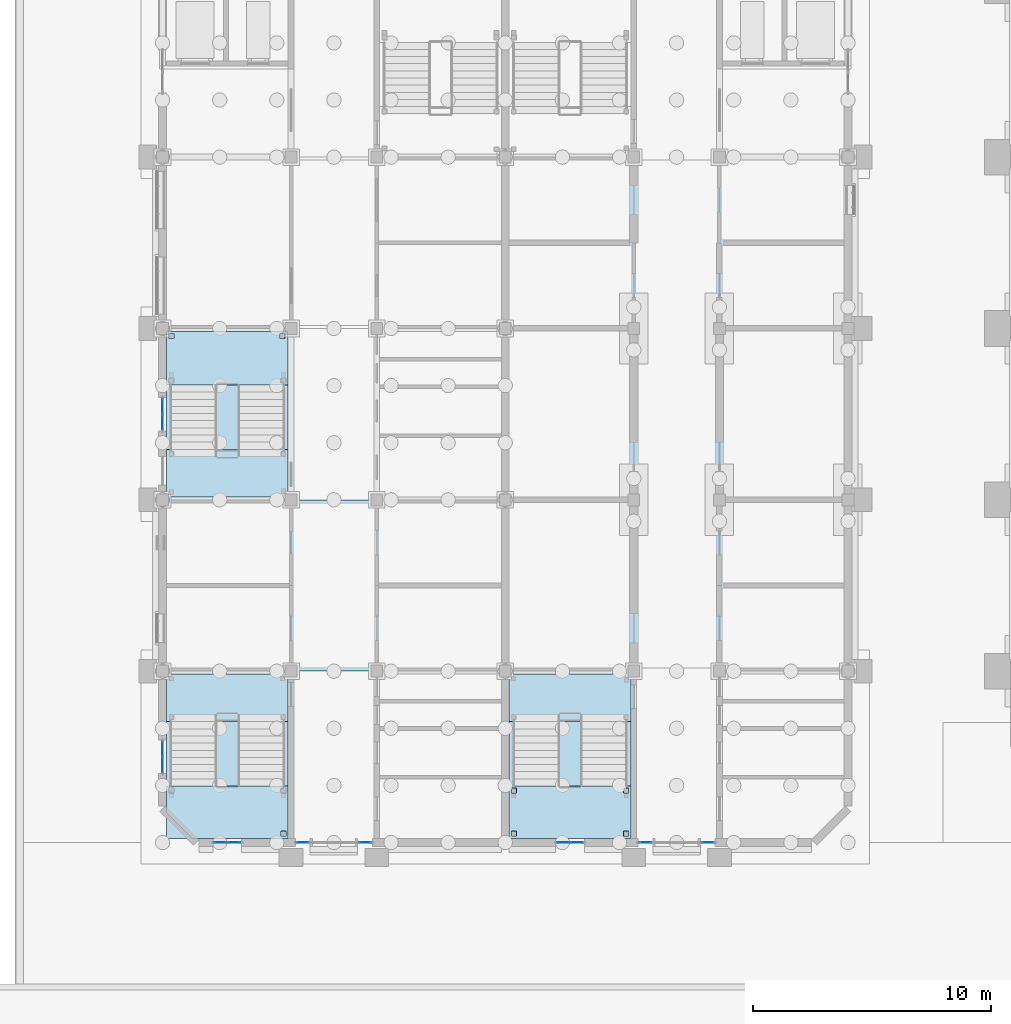
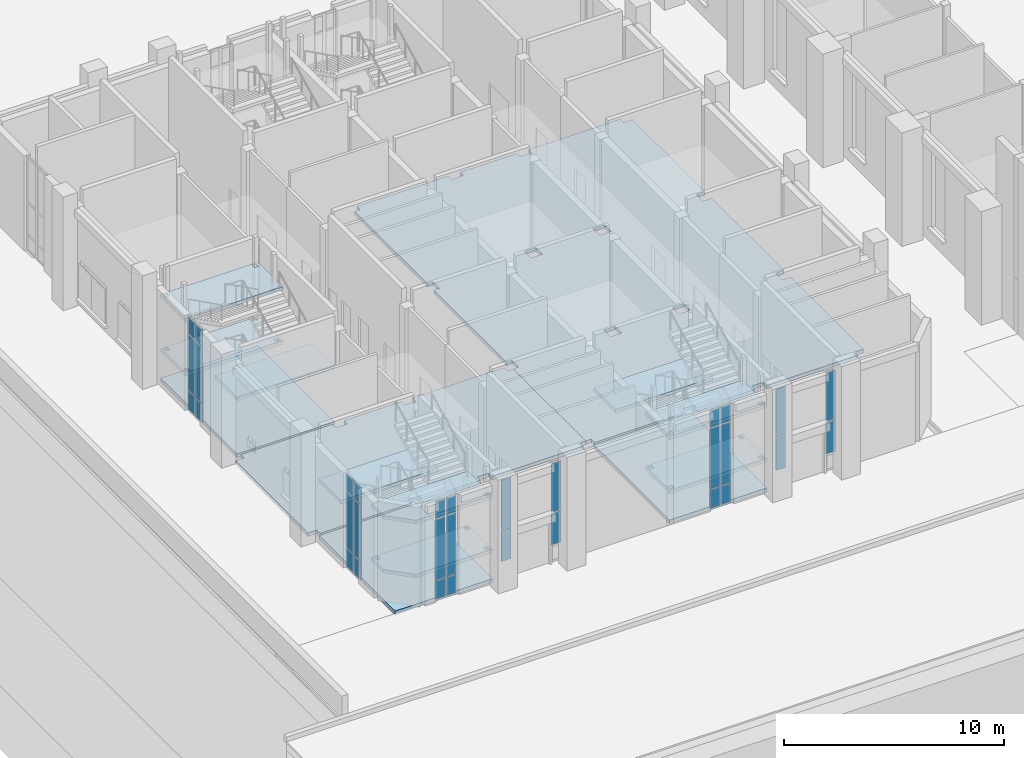
# One storey, part 21 of 84: 32 plates, 14 slabs, 11 elements without a shape of their own.
"""IFC4 building model written with IfcOpenShell, lengths in metres."""

from ifc_helpers import new_model, si_unit, direction, frame, origin, origin_2d, place, context, subcontext, project, spatial, polyline, rectangle, outline, extrude, material, layer, layer_set, type_object, element, aggregate, save


model = new_model("IFC4")

# Units and contexts
model_context = context("Model", 3, precision=1e-05, world=origin(), true_north=direction((0.0, 1.0)))
body_context = subcontext(model_context, "Body", "Model", "MODEL_VIEW")
ifc_project = project(units=[si_unit("LENGTHUNIT", "METRE"), si_unit("AREAUNIT", "SQUARE_METRE"), si_unit("VOLUMEUNIT", "CUBIC_METRE"), si_unit("PLANEANGLEUNIT", "RADIAN"), si_unit("MASSUNIT", "GRAM", prefix="KILO")], contexts=[model_context])

# Site, building, storey
site_placement = place(None, origin())
site = spatial("IfcSite", under=ifc_project, at=site_placement, CompositionType="ELEMENT")
building_placement = place(site_placement, origin())
building = spatial("IfcBuilding", under=site, at=building_placement, Name="Mazhai Court Health Centre", CompositionType="ELEMENT")
storey_placement = place(building_placement, origin())
storey = spatial("IfcBuildingStorey", under=building, at=storey_placement, Name="L00", CompositionType="ELEMENT", Elevation=0.0)

# Curtain wall, plates
ifc_material_1 = material(Name="Teak timber frame, glazed", Category="wood")
ifc_layer_1 = layer(ifc_material_1, 0.10009765625)
ifc_layer_set_1 = layer_set([ifc_layer_1], Name="CURTAIN WALL TIMBER 600")
curtain_wall_type_1 = type_object("IfcCurtainWallType", Name="CURTAIN WALL TIMBER 600", PredefinedType="NOTDEFINED", material=ifc_layer_set_1)
curtain_wall_1_placement = place(storey_placement, origin())
curtain_wall_1 = element("IfcCurtainWall", 1, at=curtain_wall_1_placement, inside=storey, type_object=curtain_wall_type_1, Name="CW-V2-L00-A0", PredefinedType="NOTDEFINED")
ifc_material_2 = material(Name="Glass IGU 28 mm", Category="glass")
ifc_layer_2 = layer(ifc_material_2, 0.028076171875)
ifc_layer_set_2 = layer_set([ifc_layer_2], Name="CW PANEL IGU 28")
plate_type = type_object("IfcPlateType", Name="CW PANEL IGU 28", PredefinedType="CURTAIN_PANEL", material=ifc_layer_set_2)
plate_1_placement = place(storey_placement, frame((6.199951171875, 9.465087890625, 0.06005859375), z_axis=(0.0, 0.0, 1.0), x_axis=(0.0, 1.0, 0.0)))
plate_1 = element("IfcPlate", 2, at=plate_1_placement, type_object=plate_type, Name="CW panel 1.1", PredefinedType="CURTAIN_PANEL", context=body_context, shape_type="SweptSolid", body=[
    extrude(rectangle(XDim=0.610107421875, YDim=0.028076171875, at=origin_2d()), origin(), (0.0, 0.0, 1.0), 1.010009765625),
])
plate_2_placement = place(storey_placement, frame((6.199951171875, 9.465087890625, 1.1298828125), z_axis=(0.0, 0.0, 1.0), x_axis=(0.0, 1.0, 0.0)))
plate_2 = element("IfcPlate", 3, at=plate_2_placement, type_object=plate_type, Name="CW panel 1.2", PredefinedType="CURTAIN_PANEL", context=body_context, shape_type="SweptSolid", body=[
    extrude(rectangle(XDim=0.610107421875, YDim=0.028076171875, at=origin_2d()), origin(), (0.0, 0.0, 1.0), 3.090087890625),
])
plate_3_placement = place(storey_placement, frame((6.199951171875, 9.465087890625, 4.2802734375), z_axis=(0.0, 0.0, 1.0), x_axis=(0.0, 1.0, 0.0)))
plate_3 = element("IfcPlate", 4, at=plate_3_placement, type_object=plate_type, Name="CW panel 1.3", PredefinedType="CURTAIN_PANEL", context=body_context, shape_type="SweptSolid", body=[
    extrude(rectangle(XDim=0.610107421875, YDim=0.028076171875, at=origin_2d()), origin(), (0.0, 0.0, 1.0), 0.909912109375),
])
plate_4_placement = place(storey_placement, frame((6.199951171875, 10.135009765625, 0.06005859375), z_axis=(0.0, 0.0, 1.0), x_axis=(0.0, 1.0, 0.0)))
plate_4 = element("IfcPlate", 5, at=plate_4_placement, type_object=plate_type, Name="CW panel 2.1", PredefinedType="CURTAIN_PANEL", context=body_context, shape_type="SweptSolid", body=[
    extrude(rectangle(XDim=0.610107421875, YDim=0.028076171875, at=origin_2d()), origin(), (0.0, 0.0, 1.0), 1.010009765625),
])
plate_5_placement = place(storey_placement, frame((6.199951171875, 10.135009765625, 1.1298828125), z_axis=(0.0, 0.0, 1.0), x_axis=(0.0, 1.0, 0.0)))
plate_5 = element("IfcPlate", 6, at=plate_5_placement, type_object=plate_type, Name="CW panel 2.2", PredefinedType="CURTAIN_PANEL", context=body_context, shape_type="SweptSolid", body=[
    extrude(rectangle(XDim=0.610107421875, YDim=0.028076171875, at=origin_2d()), origin(), (0.0, 0.0, 1.0), 3.090087890625),
])
plate_6_placement = place(storey_placement, frame((6.199951171875, 10.135009765625, 4.2802734375), z_axis=(0.0, 0.0, 1.0), x_axis=(0.0, 1.0, 0.0)))
plate_6 = element("IfcPlate", 7, at=plate_6_placement, type_object=plate_type, Name="CW panel 2.3", PredefinedType="CURTAIN_PANEL", context=body_context, shape_type="SweptSolid", body=[
    extrude(rectangle(XDim=0.610107421875, YDim=0.028076171875, at=origin_2d()), origin(), (0.0, 0.0, 1.0), 0.909912109375),
])
aggregate(curtain_wall_1, [plate_1, plate_2, plate_3, plate_4, plate_5, plate_6])

curtain_wall_2_placement = place(storey_placement, origin())
curtain_wall_2 = element("IfcCurtainWall", 8, at=curtain_wall_2_placement, inside=storey, type_object=curtain_wall_type_1, Name="CW-V2-L00-A2", PredefinedType="NOTDEFINED")
plate_7_placement = place(storey_placement, frame((6.199951171875, 23.864990234375, 0.06005859375), z_axis=(0.0, 0.0, 1.0), x_axis=(0.0, 1.0, 0.0)))
plate_7 = element("IfcPlate", 9, at=plate_7_placement, type_object=plate_type, Name="CW panel 1.1", PredefinedType="CURTAIN_PANEL", context=body_context, shape_type="SweptSolid", body=[
    extrude(rectangle(XDim=0.610107421875, YDim=0.028076171875, at=origin_2d()), origin(), (0.0, 0.0, 1.0), 1.010009765625),
])
plate_8_placement = place(storey_placement, frame((6.199951171875, 23.864990234375, 1.1298828125), z_axis=(0.0, 0.0, 1.0), x_axis=(0.0, 1.0, 0.0)))
plate_8 = element("IfcPlate", 10, at=plate_8_placement, type_object=plate_type, Name="CW panel 1.2", PredefinedType="CURTAIN_PANEL", context=body_context, shape_type="SweptSolid", body=[
    extrude(rectangle(XDim=0.610107421875, YDim=0.028076171875, at=origin_2d()), origin(), (0.0, 0.0, 1.0), 3.090087890625),
])
plate_9_placement = place(storey_placement, frame((6.199951171875, 23.864990234375, 4.2802734375), z_axis=(0.0, 0.0, 1.0), x_axis=(0.0, 1.0, 0.0)))
plate_9 = element("IfcPlate", 11, at=plate_9_placement, type_object=plate_type, Name="CW panel 1.3", PredefinedType="CURTAIN_PANEL", context=body_context, shape_type="SweptSolid", body=[
    extrude(rectangle(XDim=0.610107421875, YDim=0.028076171875, at=origin_2d()), origin(), (0.0, 0.0, 1.0), 0.909912109375),
])
plate_10_placement = place(storey_placement, frame((6.199951171875, 24.534912109375, 0.06005859375), z_axis=(0.0, 0.0, 1.0), x_axis=(0.0, 1.0, 0.0)))
plate_10 = element("IfcPlate", 12, at=plate_10_placement, type_object=plate_type, Name="CW panel 2.1", PredefinedType="CURTAIN_PANEL", context=body_context, shape_type="SweptSolid", body=[
    extrude(rectangle(XDim=0.610107421875, YDim=0.028076171875, at=origin_2d()), origin(), (0.0, 0.0, 1.0), 1.010009765625),
])
plate_11_placement = place(storey_placement, frame((6.199951171875, 24.534912109375, 1.1298828125), z_axis=(0.0, 0.0, 1.0), x_axis=(0.0, 1.0, 0.0)))
plate_11 = element("IfcPlate", 13, at=plate_11_placement, type_object=plate_type, Name="CW panel 2.2", PredefinedType="CURTAIN_PANEL", context=body_context, shape_type="SweptSolid", body=[
    extrude(rectangle(XDim=0.610107421875, YDim=0.028076171875, at=origin_2d()), origin(), (0.0, 0.0, 1.0), 3.090087890625),
])
plate_12_placement = place(storey_placement, frame((6.199951171875, 24.534912109375, 4.2802734375), z_axis=(0.0, 0.0, 1.0), x_axis=(0.0, 1.0, 0.0)))
plate_12 = element("IfcPlate", 14, at=plate_12_placement, type_object=plate_type, Name="CW panel 2.3", PredefinedType="CURTAIN_PANEL", context=body_context, shape_type="SweptSolid", body=[
    extrude(rectangle(XDim=0.610107421875, YDim=0.028076171875, at=origin_2d()), origin(), (0.0, 0.0, 1.0), 0.909912109375),
])
aggregate(curtain_wall_2, [plate_7, plate_8, plate_9, plate_10, plate_11, plate_12])

curtain_wall_3_placement = place(storey_placement, origin())
curtain_wall_3 = element("IfcCurtainWall", 15, at=curtain_wall_3_placement, inside=storey, type_object=curtain_wall_type_1, Name="CW-V2-L00-SSTAIR0", PredefinedType="NOTDEFINED")
plate_13_placement = place(storey_placement, frame((9.205078125, 6.199951171875, 0.06005859375), z_axis=(0.0, 0.0, 1.0), x_axis=(-1.0, 0.0, 0.0)))
plate_13 = element("IfcPlate", 16, at=plate_13_placement, type_object=plate_type, Name="CW panel 1.1", PredefinedType="CURTAIN_PANEL", context=body_context, shape_type="SweptSolid", body=[
    extrude(rectangle(XDim=0.510009765625, YDim=0.028076171875, at=origin_2d()), origin(), (0.0, 0.0, 1.0), 1.010009765625),
])
plate_14_placement = place(storey_placement, frame((9.205078125, 6.199951171875, 1.1298828125), z_axis=(0.0, 0.0, 1.0), x_axis=(-1.0, 0.0, 0.0)))
plate_14 = element("IfcPlate", 17, at=plate_14_placement, type_object=plate_type, Name="CW panel 1.2", PredefinedType="CURTAIN_PANEL", context=body_context, shape_type="SweptSolid", body=[
    extrude(rectangle(XDim=0.510009765625, YDim=0.028076171875, at=origin_2d()), origin(), (0.0, 0.0, 1.0), 3.340087890625),
])
plate_15_placement = place(storey_placement, frame((9.205078125, 6.199951171875, 4.5302734375), z_axis=(0.0, 0.0, 1.0), x_axis=(-1.0, 0.0, 0.0)))
plate_15 = element("IfcPlate", 18, at=plate_15_placement, type_object=plate_type, Name="CW panel 1.3", PredefinedType="CURTAIN_PANEL", context=body_context, shape_type="SweptSolid", body=[
    extrude(rectangle(XDim=0.510009765625, YDim=0.028076171875, at=origin_2d()), origin(), (0.0, 0.0, 1.0), 0.909912109375),
])
plate_16_placement = place(storey_placement, frame((8.635009765625, 6.199951171875, 0.06005859375), z_axis=(0.0, 0.0, 1.0), x_axis=(-1.0, 0.0, 0.0)))
plate_16 = element("IfcPlate", 19, at=plate_16_placement, type_object=plate_type, Name="CW panel 2.1", PredefinedType="CURTAIN_PANEL", context=body_context, shape_type="SweptSolid", body=[
    extrude(rectangle(XDim=0.510009765625, YDim=0.028076171875, at=origin_2d()), origin(), (0.0, 0.0, 1.0), 1.010009765625),
])
plate_17_placement = place(storey_placement, frame((8.635009765625, 6.199951171875, 1.1298828125), z_axis=(0.0, 0.0, 1.0), x_axis=(-1.0, 0.0, 0.0)))
plate_17 = element("IfcPlate", 20, at=plate_17_placement, type_object=plate_type, Name="CW panel 2.2", PredefinedType="CURTAIN_PANEL", context=body_context, shape_type="SweptSolid", body=[
    extrude(rectangle(XDim=0.510009765625, YDim=0.028076171875, at=origin_2d()), origin(), (0.0, 0.0, 1.0), 3.340087890625),
])
plate_18_placement = place(storey_placement, frame((8.635009765625, 6.199951171875, 4.5302734375), z_axis=(0.0, 0.0, 1.0), x_axis=(-1.0, 0.0, 0.0)))
plate_18 = element("IfcPlate", 21, at=plate_18_placement, type_object=plate_type, Name="CW panel 2.3", PredefinedType="CURTAIN_PANEL", context=body_context, shape_type="SweptSolid", body=[
    extrude(rectangle(XDim=0.510009765625, YDim=0.028076171875, at=origin_2d()), origin(), (0.0, 0.0, 1.0), 0.909912109375),
])
aggregate(curtain_wall_3, [plate_13, plate_14, plate_15, plate_16, plate_17, plate_18])

ifc_material_3 = material(Name="Teak timber frame, glazed", Category="wood")
ifc_layer_3 = layer(ifc_material_3, 0.10009765625)
ifc_layer_set_3 = layer_set([ifc_layer_3], Name="CURTAIN WALL TIMBER 620")
curtain_wall_type_2 = type_object("IfcCurtainWallType", Name="CURTAIN WALL TIMBER 620", PredefinedType="NOTDEFINED", material=ifc_layer_set_3)
curtain_wall_4_placement = place(storey_placement, origin())
curtain_wall_4 = element("IfcCurtainWall", 22, at=curtain_wall_4_placement, inside=storey, type_object=curtain_wall_type_2, Name="CW-V2-L00-SSL1", PredefinedType="NOTDEFINED")
plate_19_placement = place(storey_placement, frame((12.090087890625, 6.199951171875, 0.93017578125), z_axis=(0.0, 0.0, 1.0), x_axis=(-1.0, 0.0, 0.0)))
plate_19 = element("IfcPlate", 23, at=plate_19_placement, type_object=plate_type, Name="CW panel 1.2", PredefinedType="CURTAIN_PANEL", context=body_context, shape_type="SweptSolid", body=[
    extrude(rectangle(XDim=0.5, YDim=0.028076171875, at=origin_2d()), origin(), (0.0, 0.0, 1.0), 1.739990234375),
])
plate_20_placement = place(storey_placement, frame((12.090087890625, 6.199951171875, 2.72998046875), z_axis=(0.0, 0.0, 1.0), x_axis=(-1.0, 0.0, 0.0)))
plate_20 = element("IfcPlate", 24, at=plate_20_placement, type_object=plate_type, Name="CW panel 1.3", PredefinedType="CURTAIN_PANEL", context=body_context, shape_type="SweptSolid", body=[
    extrude(rectangle(XDim=0.5, YDim=0.028076171875, at=origin_2d()), origin(), (0.0, 0.0, 1.0), 2.7099609375),
])
aggregate(curtain_wall_4, [plate_19, plate_20])

curtain_wall_5_placement = place(storey_placement, origin())
curtain_wall_5 = element("IfcCurtainWall", 25, at=curtain_wall_5_placement, inside=storey, type_object=curtain_wall_type_2, Name="CW-V2-L00-SSL2", PredefinedType="NOTDEFINED")
plate_21_placement = place(storey_placement, frame((14.7099609375, 6.199951171875, 0.93017578125), z_axis=(0.0, 0.0, 1.0), x_axis=(-1.0, 0.0, 0.0)))
plate_21 = element("IfcPlate", 26, at=plate_21_placement, type_object=plate_type, Name="CW panel 1.2", PredefinedType="CURTAIN_PANEL", context=body_context, shape_type="SweptSolid", body=[
    extrude(rectangle(XDim=0.5, YDim=0.028076171875, at=origin_2d()), origin(), (0.0, 0.0, 1.0), 1.739990234375),
])
plate_22_placement = place(storey_placement, frame((14.7099609375, 6.199951171875, 2.72998046875), z_axis=(0.0, 0.0, 1.0), x_axis=(-1.0, 0.0, 0.0)))
plate_22 = element("IfcPlate", 27, at=plate_22_placement, type_object=plate_type, Name="CW panel 1.3", PredefinedType="CURTAIN_PANEL", context=body_context, shape_type="SweptSolid", body=[
    extrude(rectangle(XDim=0.5, YDim=0.028076171875, at=origin_2d()), origin(), (0.0, 0.0, 1.0), 2.7099609375),
])
aggregate(curtain_wall_5, [plate_21, plate_22])

curtain_wall_6_placement = place(storey_placement, origin())
curtain_wall_6 = element("IfcCurtainWall", 28, at=curtain_wall_6_placement, inside=storey, type_object=curtain_wall_type_1, Name="CW-V5-L00-SSTAIR0", PredefinedType="NOTDEFINED")
plate_23_placement = place(storey_placement, frame((23.60498046875, 6.199951171875, 0.06005859375), z_axis=(0.0, 0.0, 1.0), x_axis=(-1.0, 0.0, 0.0)))
plate_23 = element("IfcPlate", 29, at=plate_23_placement, type_object=plate_type, Name="CW panel 1.1", PredefinedType="CURTAIN_PANEL", context=body_context, shape_type="SweptSolid", body=[
    extrude(rectangle(XDim=0.510009765625, YDim=0.028076171875, at=origin_2d()), origin(), (0.0, 0.0, 1.0), 1.010009765625),
])
plate_24_placement = place(storey_placement, frame((23.60498046875, 6.199951171875, 1.1298828125), z_axis=(0.0, 0.0, 1.0), x_axis=(-1.0, 0.0, 0.0)))
plate_24 = element("IfcPlate", 30, at=plate_24_placement, type_object=plate_type, Name="CW panel 1.2", PredefinedType="CURTAIN_PANEL", context=body_context, shape_type="SweptSolid", body=[
    extrude(rectangle(XDim=0.510009765625, YDim=0.028076171875, at=origin_2d()), origin(), (0.0, 0.0, 1.0), 3.340087890625),
])
plate_25_placement = place(storey_placement, frame((23.60498046875, 6.199951171875, 4.5302734375), z_axis=(0.0, 0.0, 1.0), x_axis=(-1.0, 0.0, 0.0)))
plate_25 = element("IfcPlate", 31, at=plate_25_placement, type_object=plate_type, Name="CW panel 1.3", PredefinedType="CURTAIN_PANEL", context=body_context, shape_type="SweptSolid", body=[
    extrude(rectangle(XDim=0.510009765625, YDim=0.028076171875, at=origin_2d()), origin(), (0.0, 0.0, 1.0), 0.909912109375),
])
plate_26_placement = place(storey_placement, frame((23.034912109375, 6.199951171875, 0.06005859375), z_axis=(0.0, 0.0, 1.0), x_axis=(-1.0, 0.0, 0.0)))
plate_26 = element("IfcPlate", 32, at=plate_26_placement, type_object=plate_type, Name="CW panel 2.1", PredefinedType="CURTAIN_PANEL", context=body_context, shape_type="SweptSolid", body=[
    extrude(rectangle(XDim=0.510009765625, YDim=0.028076171875, at=origin_2d()), origin(), (0.0, 0.0, 1.0), 1.010009765625),
])
plate_27_placement = place(storey_placement, frame((23.034912109375, 6.199951171875, 1.1298828125), z_axis=(0.0, 0.0, 1.0), x_axis=(-1.0, 0.0, 0.0)))
plate_27 = element("IfcPlate", 33, at=plate_27_placement, type_object=plate_type, Name="CW panel 2.2", PredefinedType="CURTAIN_PANEL", context=body_context, shape_type="SweptSolid", body=[
    extrude(rectangle(XDim=0.510009765625, YDim=0.028076171875, at=origin_2d()), origin(), (0.0, 0.0, 1.0), 3.340087890625),
])
plate_28_placement = place(storey_placement, frame((23.034912109375, 6.199951171875, 4.5302734375), z_axis=(0.0, 0.0, 1.0), x_axis=(-1.0, 0.0, 0.0)))
plate_28 = element("IfcPlate", 34, at=plate_28_placement, type_object=plate_type, Name="CW panel 2.3", PredefinedType="CURTAIN_PANEL", context=body_context, shape_type="SweptSolid", body=[
    extrude(rectangle(XDim=0.510009765625, YDim=0.028076171875, at=origin_2d()), origin(), (0.0, 0.0, 1.0), 0.909912109375),
])
aggregate(curtain_wall_6, [plate_23, plate_24, plate_25, plate_26, plate_27, plate_28])

curtain_wall_7_placement = place(storey_placement, origin())
curtain_wall_7 = element("IfcCurtainWall", 35, at=curtain_wall_7_placement, inside=storey, type_object=curtain_wall_type_2, Name="CW-V5-L00-SSL1", PredefinedType="NOTDEFINED")
plate_29_placement = place(storey_placement, frame((26.489990234375, 6.199951171875, 0.93017578125), z_axis=(0.0, 0.0, 1.0), x_axis=(-1.0, 0.0, 0.0)))
plate_29 = element("IfcPlate", 36, at=plate_29_placement, type_object=plate_type, Name="CW panel 1.2", PredefinedType="CURTAIN_PANEL", context=body_context, shape_type="SweptSolid", body=[
    extrude(rectangle(XDim=0.5, YDim=0.028076171875, at=origin_2d()), origin(), (0.0, 0.0, 1.0), 1.739990234375),
])
plate_30_placement = place(storey_placement, frame((26.489990234375, 6.199951171875, 2.72998046875), z_axis=(0.0, 0.0, 1.0), x_axis=(-1.0, 0.0, 0.0)))
plate_30 = element("IfcPlate", 37, at=plate_30_placement, type_object=plate_type, Name="CW panel 1.3", PredefinedType="CURTAIN_PANEL", context=body_context, shape_type="SweptSolid", body=[
    extrude(rectangle(XDim=0.5, YDim=0.028076171875, at=origin_2d()), origin(), (0.0, 0.0, 1.0), 2.7099609375),
])
aggregate(curtain_wall_7, [plate_29, plate_30])

curtain_wall_8_placement = place(storey_placement, origin())
curtain_wall_8 = element("IfcCurtainWall", 38, at=curtain_wall_8_placement, inside=storey, type_object=curtain_wall_type_2, Name="CW-V5-L00-SSL2", PredefinedType="NOTDEFINED")
plate_31_placement = place(storey_placement, frame((29.110107421875, 6.199951171875, 0.93017578125), z_axis=(0.0, 0.0, 1.0), x_axis=(-1.0, 0.0, 0.0)))
plate_31 = element("IfcPlate", 39, at=plate_31_placement, type_object=plate_type, Name="CW panel 1.2", PredefinedType="CURTAIN_PANEL", context=body_context, shape_type="SweptSolid", body=[
    extrude(rectangle(XDim=0.5, YDim=0.028076171875, at=origin_2d()), origin(), (0.0, 0.0, 1.0), 1.739990234375),
])
plate_32_placement = place(storey_placement, frame((29.110107421875, 6.199951171875, 2.72998046875), z_axis=(0.0, 0.0, 1.0), x_axis=(-1.0, 0.0, 0.0)))
plate_32 = element("IfcPlate", 40, at=plate_32_placement, type_object=plate_type, Name="CW panel 1.3", PredefinedType="CURTAIN_PANEL", context=body_context, shape_type="SweptSolid", body=[
    extrude(rectangle(XDim=0.5, YDim=0.028076171875, at=origin_2d()), origin(), (0.0, 0.0, 1.0), 2.7099609375),
])
aggregate(curtain_wall_8, [plate_31, plate_32])

# Slabs
ifc_material_4 = material(Name="Concrete M35", Category="concrete")
ifc_layer_4 = layer(ifc_material_4, 0.199951171875)
ifc_layer_set_4 = layer_set([ifc_layer_4], Name="GROUND SLAB 200 M35")
slab_type_1 = type_object("IfcSlabType", Name="GROUND SLAB 200 M35", PredefinedType="BASESLAB", material=ifc_layer_set_4)
slab_1_placement = place(storey_placement, frame((0.0, 0.0, -0.199951171875)))
element("IfcSlab", 41, at=slab_1_placement, inside=storey, type_object=slab_type_1, Name="slab-ground-V2-1", PredefinedType="BASESLAB", context=body_context, shape_type="SweptSolid", body=[
    extrude(outline(polyline([(20.60009765625, 13.699951171875), (20.300048828125, 13.699951171875), (20.300048828125, 13.39990234375), (15.5, 13.39990234375), (15.5, 13.699951171875), (14.89990234375, 13.699951171875), (14.89990234375, 13.39990234375), (11.89990234375, 13.39990234375), (11.89990234375, 13.699951171875), (11.300048828125, 13.699951171875), (11.300048828125, 13.39990234375), (6.5, 13.39990234375), (6.5, 13.699951171875), (6.034912109375, 13.699951171875), (6.034912109375, 20.300048828125), (6.5, 20.300048828125), (6.5, 20.60009765625), (11.300048828125, 20.60009765625), (11.300048828125, 20.300048828125), (11.89990234375, 20.300048828125), (11.89990234375, 20.60009765625), (14.89990234375, 20.60009765625), (14.89990234375, 20.300048828125), (15.5, 20.300048828125), (15.5, 20.60009765625), (20.300048828125, 20.60009765625), (20.300048828125, 20.300048828125), (20.60009765625, 20.300048828125), (20.60009765625, 13.699951171875)])), origin(), (0.0, 0.0, 1.0), 0.199951171875),
])
slab_2_placement = place(storey_placement, frame((0.0, 0.0, -0.199951171875)))
element("IfcSlab", 42, at=slab_2_placement, inside=storey, type_object=slab_type_1, Name="slab-ground-V5-1", PredefinedType="BASESLAB", context=body_context, shape_type="SweptSolid", body=[
    extrude(outline(polyline([(35.1650390625, 13.699951171875), (34.699951171875, 13.699951171875), (34.699951171875, 13.39990234375), (29.89990234375, 13.39990234375), (29.89990234375, 13.699951171875), (29.300048828125, 13.699951171875), (29.300048828125, 13.39990234375), (26.300048828125, 13.39990234375), (26.300048828125, 13.699951171875), (25.699951171875, 13.699951171875), (25.699951171875, 13.39990234375), (20.89990234375, 13.39990234375), (20.89990234375, 13.699951171875), (20.60009765625, 13.699951171875), (20.60009765625, 20.300048828125), (20.89990234375, 20.300048828125), (20.89990234375, 20.89990234375), (20.60009765625, 20.89990234375), (20.60009765625, 27.5), (20.89990234375, 27.5), (20.89990234375, 28.10009765625), (20.60009765625, 28.10009765625), (20.60009765625, 34.699951171875), (20.89990234375, 34.699951171875), (20.89990234375, 35.0), (25.699951171875, 35.0), (25.699951171875, 34.699951171875), (26.300048828125, 34.699951171875), (26.300048828125, 35.0), (29.300048828125, 35.0), (29.300048828125, 34.699951171875), (29.89990234375, 34.699951171875), (29.89990234375, 35.0), (34.699951171875, 35.0), (34.699951171875, 34.699951171875), (35.1650390625, 34.699951171875), (35.1650390625, 28.10009765625), (34.699951171875, 28.10009765625), (34.699951171875, 27.5), (35.1650390625, 27.5), (35.1650390625, 20.89990234375), (34.699951171875, 20.89990234375), (34.699951171875, 20.300048828125), (35.1650390625, 20.300048828125), (35.1650390625, 13.699951171875)]), holes=[polyline([(29.300048828125, 20.89990234375), (29.300048828125, 20.300048828125), (29.89990234375, 20.300048828125), (29.89990234375, 20.89990234375), (29.300048828125, 20.89990234375)]), polyline([(25.699951171875, 20.89990234375), (25.699951171875, 20.300048828125), (26.300048828125, 20.300048828125), (26.300048828125, 20.89990234375), (25.699951171875, 20.89990234375)]), polyline([(29.300048828125, 27.5), (29.89990234375, 27.5), (29.89990234375, 28.10009765625), (29.300048828125, 28.10009765625), (29.300048828125, 27.5)]), polyline([(25.699951171875, 27.5), (26.300048828125, 27.5), (26.300048828125, 28.10009765625), (25.699951171875, 28.10009765625), (25.699951171875, 27.5)])]), origin(), (0.0, 0.0, 1.0), 0.199951171875),
])
ifc_material_5 = material(Name="Concrete M40", Category="concrete")
ifc_layer_5 = layer(ifc_material_5, 0.199951171875)
ifc_layer_set_5 = layer_set([ifc_layer_5], Name="RC STAIR GROUND SLAB 200 M40")
slab_type_2 = type_object("IfcSlabType", Name="RC STAIR GROUND SLAB 200 M40", PredefinedType="BASESLAB", material=ifc_layer_set_5)
slab_3_placement = place(storey_placement, frame((0.0, 0.0, -0.199951171875)))
element("IfcSlab", 43, at=slab_3_placement, inside=storey, type_object=slab_type_2, Name="core-C1-stair-ground-slab", PredefinedType="BASESLAB", context=body_context, shape_type="SweptSolid", body=[
    extrude(outline(polyline([(6.364990234375, 6.364990234375), (11.47509765625, 6.364990234375), (11.47509765625, 13.27490234375), (6.364990234375, 13.27490234375), (6.364990234375, 6.364990234375)])), origin(), (0.0, 0.0, 1.0), 0.199951171875),
])
slab_4_placement = place(storey_placement, frame((0.0, 0.0, -0.199951171875)))
element("IfcSlab", 44, at=slab_4_placement, inside=storey, type_object=slab_type_2, Name="core-C2-stair-ground-slab", PredefinedType="BASESLAB", context=body_context, shape_type="SweptSolid", body=[
    extrude(outline(polyline([(6.364990234375, 20.72509765625), (11.47509765625, 20.72509765625), (11.47509765625, 27.675048828125), (6.364990234375, 27.675048828125), (6.364990234375, 20.72509765625)])), origin(), (0.0, 0.0, 1.0), 0.199951171875),
])
slab_5_placement = place(storey_placement, frame((0.0, 0.0, -0.199951171875)))
element("IfcSlab", 45, at=slab_5_placement, inside=storey, type_object=slab_type_2, Name="core-C4-stair-ground-slab", PredefinedType="BASESLAB", context=body_context, shape_type="SweptSolid", body=[
    extrude(outline(polyline([(20.764892578125, 6.364990234375), (25.875, 6.364990234375), (25.875, 13.27490234375), (20.764892578125, 13.27490234375), (20.764892578125, 6.364990234375)])), origin(), (0.0, 0.0, 1.0), 0.199951171875),
])

# Stair, slabs
ifc_material_6 = material(Name="Concrete M40", Category="concrete")
stair_type = type_object("IfcStairType", Name="RC STAIR 2000 42R", PredefinedType="DOUBLE_RETURN_STAIR", material=ifc_material_6)
stair_1_placement = place(storey_placement, origin())
stair_1 = element("IfcStair", 46, at=stair_1_placement, inside=storey, type_object=stair_type, Name="L00 Stair 1", PredefinedType="DOUBLE_RETURN_STAIR")
ifc_material_7 = material(Name="Concrete M40", Category="concrete")
ifc_layer_6 = layer(ifc_material_7, 0.199951171875)
ifc_layer_set_6 = layer_set([ifc_layer_6], Name="RC STAIR LANDING 200 M40")
slab_type_3 = type_object("IfcSlabType", Name="RC STAIR LANDING 200 M40", PredefinedType="LANDING", material=ifc_layer_set_6)
slab_6_placement = place(storey_placement, frame((0.0, 0.0, 1.449951171875)))
slab_6 = element("IfcSlab", 47, at=slab_6_placement, type_object=slab_type_3, Name="ST1 landing 1", PredefinedType="LANDING", context=body_context, shape_type="SweptSolid", body=[
    extrude(outline(polyline([(6.364990234375, 8.574951171875), (11.47509765625, 8.574951171875), (11.47509765625, 6.364990234375), (7.44921875, 6.364990234375), (6.364990234375, 7.44921875), (6.364990234375, 8.574951171875)]), holes=[polyline([(6.465087890625, 8.27490234375), (6.675048828125, 8.27490234375), (6.675048828125, 8.485107421875), (6.465087890625, 8.485107421875), (6.465087890625, 8.27490234375)]), polyline([(11.175048828125, 6.465087890625), (11.385009765625, 6.465087890625), (11.385009765625, 6.675048828125), (11.175048828125, 6.675048828125), (11.175048828125, 6.465087890625)]), polyline([(11.175048828125, 8.27490234375), (11.385009765625, 8.27490234375), (11.385009765625, 8.485107421875), (11.175048828125, 8.485107421875), (11.175048828125, 8.27490234375)])]), origin(), (0.0, 0.0, 1.0), 0.199951171875),
])
slab_7_placement = place(storey_placement, frame((0.0, 0.0, 2.949951171875)))
slab_7 = element("IfcSlab", 48, at=slab_7_placement, type_object=slab_type_3, Name="ST1 landing 2", PredefinedType="LANDING", context=body_context, shape_type="SweptSolid", body=[
    extrude(outline(polyline([(6.364990234375, 13.27490234375), (6.364990234375, 11.27490234375), (11.47509765625, 11.27490234375), (11.47509765625, 13.27490234375), (6.364990234375, 13.27490234375)])), origin(), (0.0, 0.0, 1.0), 0.199951171875),
])
slab_8_placement = place(storey_placement, frame((0.0, 0.0, 4.449951171875)))
slab_8 = element("IfcSlab", 49, at=slab_8_placement, type_object=slab_type_3, Name="ST1 landing 3", PredefinedType="LANDING", context=body_context, shape_type="SweptSolid", body=[
    extrude(outline(polyline([(6.364990234375, 8.574951171875), (11.47509765625, 8.574951171875), (11.47509765625, 6.364990234375), (7.44921875, 6.364990234375), (6.364990234375, 7.44921875), (6.364990234375, 8.574951171875)]), holes=[polyline([(11.175048828125, 6.465087890625), (11.385009765625, 6.465087890625), (11.385009765625, 6.675048828125), (11.175048828125, 6.675048828125), (11.175048828125, 6.465087890625)])]), origin(), (0.0, 0.0, 1.0), 0.199951171875),
])
aggregate(stair_1, [slab_6, slab_7, slab_8])

stair_2_placement = place(storey_placement, origin())
stair_2 = element("IfcStair", 50, at=stair_2_placement, inside=storey, type_object=stair_type, Name="L00 Stair 2", PredefinedType="DOUBLE_RETURN_STAIR")
slab_9_placement = place(storey_placement, frame((0.0, 0.0, 1.449951171875)))
slab_9 = element("IfcSlab", 51, at=slab_9_placement, type_object=slab_type_3, Name="ST2 landing 1", PredefinedType="LANDING", context=body_context, shape_type="SweptSolid", body=[
    extrude(outline(polyline([(11.47509765625, 25.425048828125), (11.47509765625, 27.675048828125), (6.364990234375, 27.675048828125), (6.364990234375, 25.425048828125), (11.47509765625, 25.425048828125)]), holes=[polyline([(6.465087890625, 25.514892578125), (6.675048828125, 25.514892578125), (6.675048828125, 25.72509765625), (6.465087890625, 25.72509765625), (6.465087890625, 25.514892578125)]), polyline([(6.465087890625, 27.375), (6.675048828125, 27.375), (6.675048828125, 27.5849609375), (6.465087890625, 27.5849609375), (6.465087890625, 27.375)]), polyline([(11.175048828125, 25.514892578125), (11.385009765625, 25.514892578125), (11.385009765625, 25.72509765625), (11.175048828125, 25.72509765625), (11.175048828125, 25.514892578125)]), polyline([(11.125, 27.375), (11.3349609375, 27.375), (11.3349609375, 27.5849609375), (11.125, 27.5849609375), (11.125, 27.375)])]), origin(), (0.0, 0.0, 1.0), 0.199951171875),
])
slab_10_placement = place(storey_placement, frame((0.0, 0.0, 2.949951171875)))
slab_10 = element("IfcSlab", 52, at=slab_10_placement, type_object=slab_type_3, Name="ST2 landing 2", PredefinedType="LANDING", context=body_context, shape_type="SweptSolid", body=[
    extrude(outline(polyline([(11.47509765625, 20.72509765625), (11.47509765625, 22.72509765625), (6.364990234375, 22.72509765625), (6.364990234375, 20.72509765625), (11.47509765625, 20.72509765625)])), origin(), (0.0, 0.0, 1.0), 0.199951171875),
])
slab_11_placement = place(storey_placement, frame((0.0, 0.0, 4.449951171875)))
slab_11 = element("IfcSlab", 53, at=slab_11_placement, type_object=slab_type_3, Name="ST2 landing 3", PredefinedType="LANDING", context=body_context, shape_type="SweptSolid", body=[
    extrude(outline(polyline([(11.47509765625, 25.425048828125), (11.47509765625, 27.675048828125), (6.364990234375, 27.675048828125), (6.364990234375, 25.425048828125), (11.47509765625, 25.425048828125)]), holes=[polyline([(6.465087890625, 27.375), (6.675048828125, 27.375), (6.675048828125, 27.5849609375), (6.465087890625, 27.5849609375), (6.465087890625, 27.375)]), polyline([(11.125, 27.375), (11.3349609375, 27.375), (11.3349609375, 27.5849609375), (11.125, 27.5849609375), (11.125, 27.375)])]), origin(), (0.0, 0.0, 1.0), 0.199951171875),
])
aggregate(stair_2, [slab_9, slab_10, slab_11])

stair_3_placement = place(storey_placement, origin())
stair_3 = element("IfcStair", 54, at=stair_3_placement, inside=storey, type_object=stair_type, Name="L00 Stair 4", PredefinedType="DOUBLE_RETURN_STAIR")
slab_12_placement = place(storey_placement, frame((0.0, 0.0, 1.449951171875)))
slab_12 = element("IfcSlab", 55, at=slab_12_placement, type_object=slab_type_3, Name="ST4 landing 1", PredefinedType="LANDING", context=body_context, shape_type="SweptSolid", body=[
    extrude(outline(polyline([(20.764892578125, 8.574951171875), (20.764892578125, 6.364990234375), (25.875, 6.364990234375), (25.875, 8.574951171875), (20.764892578125, 8.574951171875)]), holes=[polyline([(20.85498046875, 6.465087890625), (21.06494140625, 6.465087890625), (21.06494140625, 6.675048828125), (20.85498046875, 6.675048828125), (20.85498046875, 6.465087890625)]), polyline([(20.85498046875, 8.27490234375), (21.06494140625, 8.27490234375), (21.06494140625, 8.485107421875), (20.85498046875, 8.485107421875), (20.85498046875, 8.27490234375)]), polyline([(25.574951171875, 6.465087890625), (25.784912109375, 6.465087890625), (25.784912109375, 6.675048828125), (25.574951171875, 6.675048828125), (25.574951171875, 6.465087890625)]), polyline([(25.574951171875, 8.27490234375), (25.784912109375, 8.27490234375), (25.784912109375, 8.485107421875), (25.574951171875, 8.485107421875), (25.574951171875, 8.27490234375)])]), origin(), (0.0, 0.0, 1.0), 0.199951171875),
])
slab_13_placement = place(storey_placement, frame((0.0, 0.0, 2.949951171875)))
slab_13 = element("IfcSlab", 56, at=slab_13_placement, type_object=slab_type_3, Name="ST4 landing 2", PredefinedType="LANDING", context=body_context, shape_type="SweptSolid", body=[
    extrude(outline(polyline([(20.764892578125, 13.27490234375), (20.764892578125, 11.27490234375), (25.875, 11.27490234375), (25.875, 13.27490234375), (20.764892578125, 13.27490234375)])), origin(), (0.0, 0.0, 1.0), 0.199951171875),
])
slab_14_placement = place(storey_placement, frame((0.0, 0.0, 4.449951171875)))
slab_14 = element("IfcSlab", 57, at=slab_14_placement, type_object=slab_type_3, Name="ST4 landing 3", PredefinedType="LANDING", context=body_context, shape_type="SweptSolid", body=[
    extrude(outline(polyline([(20.764892578125, 8.574951171875), (20.764892578125, 6.364990234375), (25.875, 6.364990234375), (25.875, 8.574951171875), (20.764892578125, 8.574951171875)]), holes=[polyline([(20.85498046875, 6.465087890625), (21.06494140625, 6.465087890625), (21.06494140625, 6.675048828125), (20.85498046875, 6.675048828125), (20.85498046875, 6.465087890625)]), polyline([(25.574951171875, 6.465087890625), (25.784912109375, 6.465087890625), (25.784912109375, 6.675048828125), (25.574951171875, 6.675048828125), (25.574951171875, 6.465087890625)])]), origin(), (0.0, 0.0, 1.0), 0.199951171875),
])
aggregate(stair_3, [slab_12, slab_13, slab_14])

save(model, "model.ifc")
